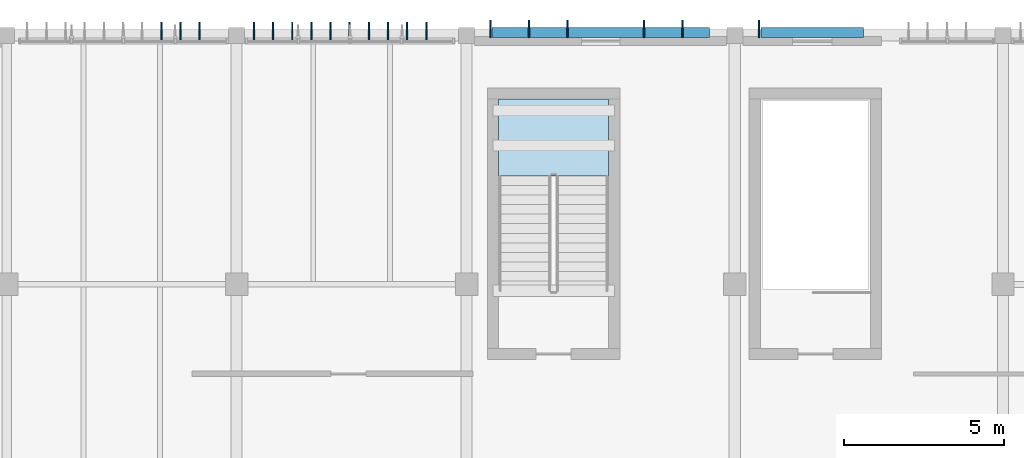
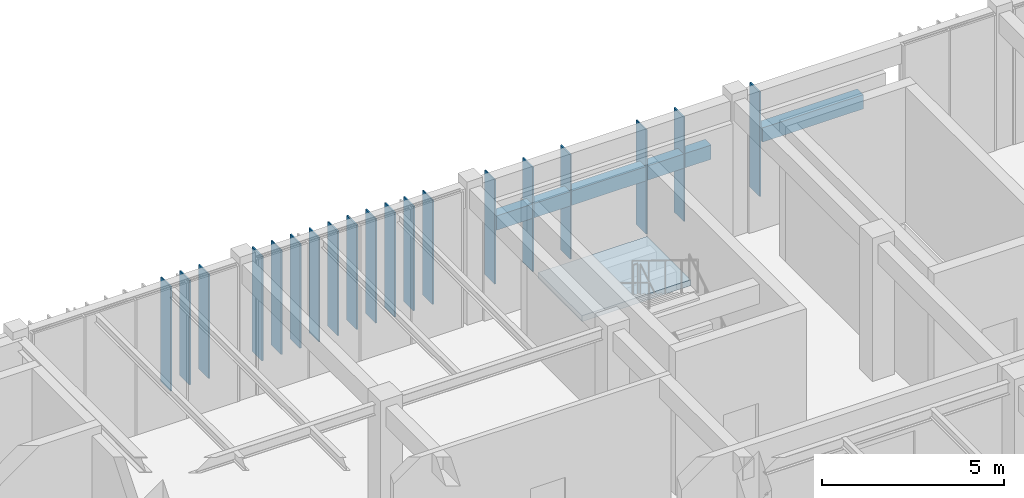
# One storey, part 26 of 122: 21 plates, 1 slab, 1 element without a shape of its own.
"""IFC4 building model written with IfcOpenShell, lengths in metres."""

from ifc_helpers import new_model, si_unit, direction, frame, origin, origin_2d, place, context, subcontext, project, spatial, polyline, rectangle, outline, extrude, material, layer, layer_set, type_object, element, aggregate, save


model = new_model("IFC4")

# Units and contexts
model_context = context("Model", 3, precision=1e-05, world=origin(), true_north=direction((0.0, 1.0)))
body_context = subcontext(model_context, "Body", "Model", "MODEL_VIEW")
ifc_project = project(units=[si_unit("LENGTHUNIT", "METRE"), si_unit("AREAUNIT", "SQUARE_METRE"), si_unit("VOLUMEUNIT", "CUBIC_METRE"), si_unit("PLANEANGLEUNIT", "RADIAN"), si_unit("MASSUNIT", "GRAM", prefix="KILO")], contexts=[model_context])

# Site, building, storey
site_placement = place(None, origin())
site = spatial("IfcSite", under=ifc_project, at=site_placement, CompositionType="ELEMENT")
building_placement = place(site_placement, origin())
building = spatial("IfcBuilding", under=site, at=building_placement, Name="Tazoul Stagehouse", CompositionType="ELEMENT")
storey_placement = place(building_placement, origin())
storey = spatial("IfcBuildingStorey", under=building, at=storey_placement, Name="L00", CompositionType="ELEMENT", Elevation=0.0)

# Stair, slab
ifc_material_1 = material(Name="Concrete C40/50", Category="concrete")
stair_type = type_object("IfcStairType", Name="Protected Core Dogleg Stair 4200", PredefinedType="HALF_TURN_STAIR", material=ifc_material_1)
stair_placement = place(storey_placement, origin())
stair = element("IfcStair", 1, at=stair_placement, inside=storey, type_object=stair_type, Name="L00 Core Escape Stair ST-02", PredefinedType="HALF_TURN_STAIR")
ifc_layer_1 = layer(ifc_material_1, 0.179931640625, Name="Concrete C40/50")
ifc_layer_set_1 = layer_set([ifc_layer_1], Name="Concrete C40/50")
slab_type = type_object("IfcSlabType", Name="Core Half-Landing Slab 180", PredefinedType="LANDING", material=ifc_layer_set_1)
slab_placement = place(storey_placement, frame((0.0, 0.0, 2.199951171875)))
slab = element("IfcSlab", 2, at=slab_placement, type_object=slab_type, Name="ST-02 landing 1", PredefinedType="LANDING", context=body_context, shape_type="SweptSolid", body=[
    extrude(outline(polyline([(121.449951171875, 107.39990234375), (121.449951171875, 109.800048828125), (118.0, 109.800048828125), (118.0, 107.39990234375), (121.449951171875, 107.39990234375)])), origin(), (0.0, 0.0, 1.0), 0.199951171875),
])
aggregate(stair, [slab])

# Plates
ifc_material_2 = material(Name="Anodised Bronze Aluminium 6063-T6", Category="aluminium")
ifc_layer_2 = layer(ifc_material_2, 0.550048828125, Name="Anodised Bronze Aluminium 6063-T6")
ifc_layer_set_2 = layer_set([ifc_layer_2], Name="Anodised Bronze Aluminium 6063-T6")
plate_type_1 = type_object("IfcPlateType", Name="Parametric Terracotta-Bronze Solar Fin 550x3500", PredefinedType="USERDEFINED", material=ifc_layer_set_2)
for number, where, z_axis, x_axis, name in (
    (3, (107.43994140625, 111.93505859375, 0.989990234375), (0.0, 0.0, 1.0), (1.0, 0.0, 0.0), "L00 Parametric Solar Fin SFN-21 (CW-V3-N1-L00-B1-08)"),
    (4, (108.0400390625, 111.93505859375, 0.989990234375), (0.0, 0.0, 1.0), (1.0, 0.0, 0.0), "L00 Parametric Solar Fin SFN-21 (CW-V3-N1-L00-B1-09)"),
    (5, (108.639892578125, 111.93505859375, 0.989990234375), (0.0, 0.0, 1.0), (1.0, 0.0, 0.0), "L00 Parametric Solar Fin SFN-21 (CW-V3-N1-L00-B1-10)"),
    (6, (110.340087890625, 111.93505859375, 0.989990234375), (0.0, 0.0, 1.0), (1.0, 0.0, 0.0), "L00 Parametric Solar Fin SFN-21 (CW-V3-N1-L00-B2-01)"),
    (7, (110.93994140625, 111.93505859375, 0.989990234375), (0.0, 0.0, 1.0), (1.0, 0.0, 0.0), "L00 Parametric Solar Fin SFN-21 (CW-V3-N1-L00-B2-02)"),
    (8, (111.5400390625, 111.93505859375, 0.989990234375), (0.0, 0.0, 1.0), (1.0, 0.0, 0.0), "L00 Parametric Solar Fin SFN-21 (CW-V3-N1-L00-B2-03)"),
    (9, (112.139892578125, 111.93505859375, 0.989990234375), (0.0, 0.0, 1.0), (1.0, 0.0, 0.0), "L00 Parametric Solar Fin SFN-21 (CW-V3-N1-L00-B2-04)"),
    (10, (112.739990234375, 111.93505859375, 0.989990234375), (0.0, 0.0, 1.0), (1.0, 0.0, 0.0), "L00 Parametric Solar Fin SFN-21 (CW-V3-N1-L00-B2-05)"),
    (11, (113.340087890625, 111.93505859375, 0.989990234375), (0.0, 0.0, 1.0), (1.0, 0.0, 0.0), "L00 Parametric Solar Fin SFN-21 (CW-V3-N1-L00-B2-06)"),
    (12, (113.93994140625, 111.93505859375, 0.989990234375), (0.0, 0.0, 1.0), (1.0, 0.0, 0.0), "L00 Parametric Solar Fin SFN-21 (CW-V3-N1-L00-B2-07)"),
    (13, (114.5400390625, 111.93505859375, 0.989990234375), (0.0, 0.0, 1.0), (1.0, 0.0, 0.0), "L00 Parametric Solar Fin SFN-21 (CW-V3-N1-L00-B2-08)"),
    (14, (115.139892578125, 111.93505859375, 0.989990234375), (0.0, 0.0, 1.0), (1.0, 0.0, 0.0), "L00 Parametric Solar Fin SFN-21 (CW-V3-N1-L00-B2-09)"),
    (15, (115.739990234375, 111.93505859375, 0.989990234375), (0.0, 0.0, 1.0), (1.0, 0.0, 0.0), "L00 Parametric Solar Fin SFN-21 (CW-V3-N1-L00-B2-10)"),
    (16, (117.7548828125, 112.0048828125, 0.919921875), (0.0, 0.0, 1.0), (1.0, 0.0, 0.0), "L00 Parametric Solar Fin SFN-21 (WALL-V3-N2-L00-S1-01)"),
    (17, (118.955078125, 112.0048828125, 0.919921875), (0.0, 0.0, 1.0), (1.0, 0.0, 0.0), "L00 Parametric Solar Fin SFN-21 (WALL-V3-N2-L00-S1-02)"),
    (18, (120.155029296875, 112.0048828125, 0.919921875), (0.0, 0.0, 1.0), (1.0, 0.0, 0.0), "L00 Parametric Solar Fin SFN-21 (WALL-V3-N2-L00-S1-03)"),
    (19, (122.554931640625, 112.0048828125, 0.919921875), (0.0, 0.0, 1.0), (1.0, 0.0, 0.0), "L00 Parametric Solar Fin SFN-21 (WALL-V3-N2-L00-S1-05)"),
    (20, (123.7548828125, 112.0048828125, 0.919921875), (0.0, 0.0, 1.0), (1.0, 0.0, 0.0), "L00 Parametric Solar Fin SFN-21 (WALL-V3-N2-L00-S1-06)"),
    (21, (126.155029296875, 112.0048828125, 0.919921875), (0.0, 0.0, 1.0), (1.0, 0.0, 0.0), "L00 Parametric Solar Fin SFN-21 (WALL-V3-N2-L00-S2-01)"),
):
    element("IfcPlate", number, at=place(storey_placement, frame(where, z_axis=z_axis, x_axis=x_axis)), inside=storey, type_object=plate_type_1, Name=name, ObjectType="SOLAR FIN", PredefinedType="USERDEFINED", context=body_context, shape_type="SweptSolid", body=[
        extrude(rectangle(XDim=0.044921875, YDim=0.550048828125, at=origin_2d()), origin(), (0.0, 0.0, 1.0), 3.5),
    ])
ifc_layer_3 = layer(ifc_material_2, 0.320068359375, Name="Anodised Bronze Aluminium 6063-T6")
ifc_layer_set_3 = layer_set([ifc_layer_3], Name="Anodised Bronze Aluminium 6063-T6")
plate_type_2 = type_object("IfcPlateType", Name="Sculpted Facade Spandrel Ribbon 3200x480", PredefinedType="USERDEFINED", material=ifc_layer_set_3)
plate_1_placement = place(storey_placement, frame((127.827392578125, 111.889892578125, 2.7109375), z_axis=(0.0, 0.0, 1.0), x_axis=(1.0, 0.0, 0.0)))
element("IfcPlate", 22, at=plate_1_placement, inside=storey, type_object=plate_type_2, Name="L00 Sculpted Facade Spandrel Ribbon FRB-04 (WALL-V3-N2-L00-S2)", ObjectType="FACADE RIBBON", PredefinedType="USERDEFINED", context=body_context, shape_type="SweptSolid", body=[
    extrude(rectangle(XDim=3.199951171875, YDim=0.320068359375, at=origin_2d()), origin(), (0.0, 0.0, 1.0), 0.47998046875),
])
ifc_layer_4 = layer(ifc_material_2, 0.320068359375, Name="Anodised Bronze Aluminium 6063-T6")
ifc_layer_set_4 = layer_set([ifc_layer_4], Name="Anodised Bronze Aluminium 6063-T6")
plate_type_3 = type_object("IfcPlateType", Name="Sculpted Facade Spandrel Ribbon 6800x480", PredefinedType="USERDEFINED", material=ifc_layer_set_4)
plate_2_placement = place(storey_placement, frame((121.199951171875, 111.889892578125, 2.7109375), z_axis=(0.0, 0.0, 1.0), x_axis=(1.0, 0.0, 0.0)))
element("IfcPlate", 23, at=plate_2_placement, inside=storey, type_object=plate_type_3, Name="L00 Sculpted Facade Spandrel Ribbon FRB-10 (WALL-V3-N2-L00-S1)", ObjectType="FACADE RIBBON", PredefinedType="USERDEFINED", context=body_context, shape_type="SweptSolid", body=[
    extrude(rectangle(XDim=6.800048828125, YDim=0.320068359375, at=origin_2d()), origin(), (0.0, 0.0, 1.0), 0.47998046875),
])

save(model, "model.ifc")
